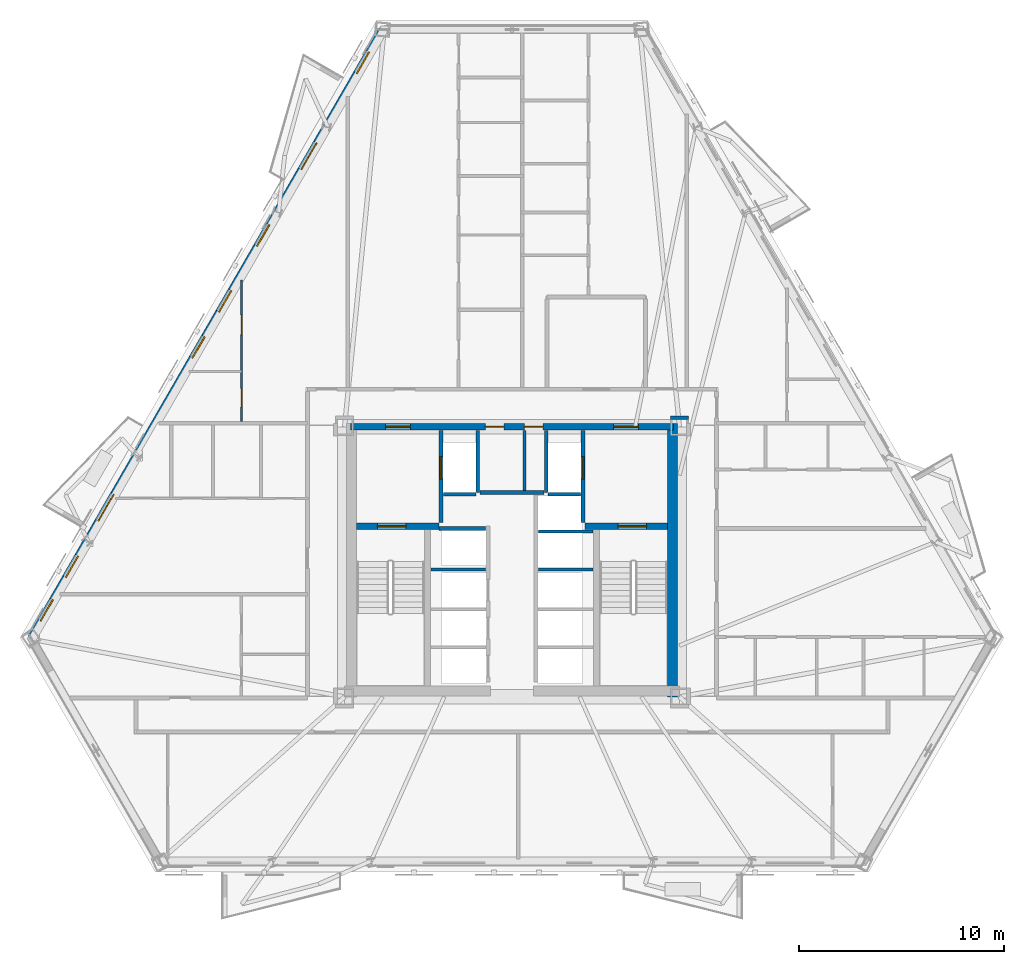
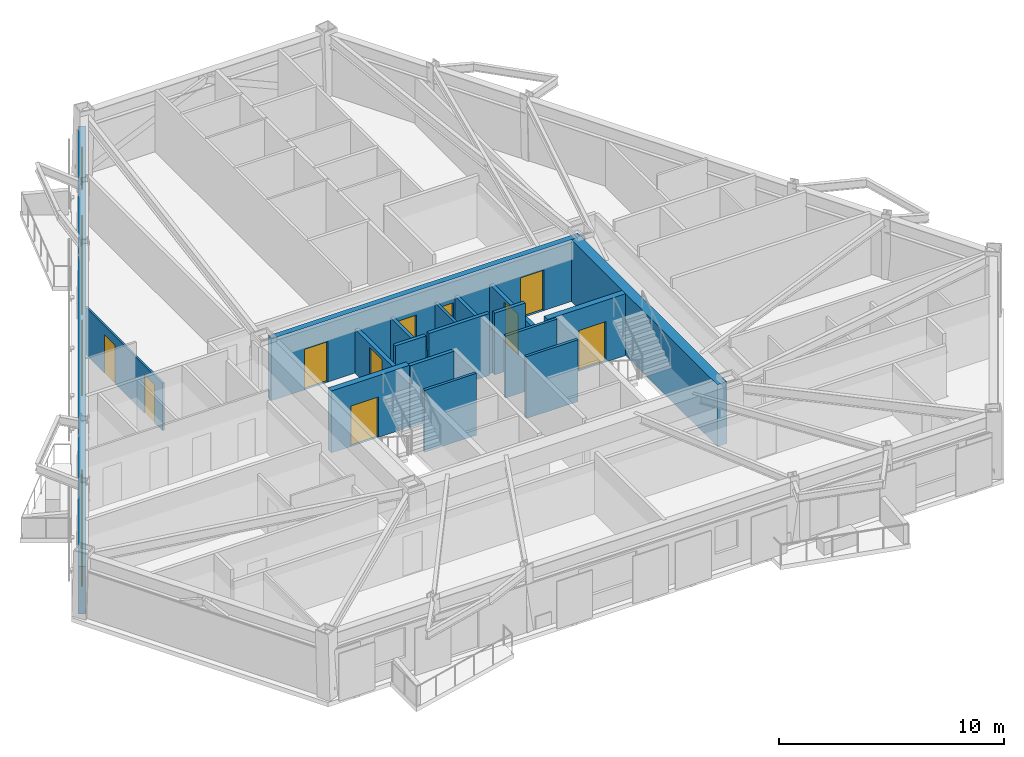
# One storey, part 4 of 11: 19 walls, 12 doors, 6 windows, 18 openings.
"""IFC4 building model written with IfcOpenShell, lengths in metres."""

import ifcopenshell
import ifcopenshell.guid

model = None  # the IFC model being written
_history = None  # IfcOwnerHistory: only IFC2X3 demands one
_inside = {}  # id of a spatial element -> (the spatial element, [elements in it])
_under = {}  # id of a project, library or spatial element -> (it, [spatial elements below it])
_declared = {}  # id of a project -> (the project, [libraries it declares])
_typed = {}  # id of a type object -> (the type object, [elements of that type])
_made_of = {}  # id of a material, layer set ... -> (it, [elements and type objects made of it])


def new_model(schema):
    """Start an empty IFC model of exactly this schema.

    Asked for "IFC4X3", IfcOpenShell would pick the latest addendum, in which some entities
    have other attributes; the version numbers below select the first issue.
    IFC2X3 requires an IfcOwnerHistory on every rooted entity: one is made here for all.
    """
    global model, _history
    if schema == "IFC4X3":
        model = ifcopenshell.file(schema_version=(4, 3, 0, 0))
    else:
        model = ifcopenshell.file(schema=schema)
    _inside.clear()
    _under.clear()
    _declared.clear()
    _typed.clear()
    _made_of.clear()
    _history = None
    if model.schema == "IFC2X3":
        org = make("IfcOrganization", Name="unknown")
        user = make(
            "IfcPersonAndOrganization",
            ThePerson=make("IfcPerson", FamilyName="unknown"),
            TheOrganization=org,
        )
        app = make(
            "IfcApplication",
            ApplicationDeveloper=org,
            Version="unknown",
            ApplicationFullName="unknown",
            ApplicationIdentifier="unknown",
        )
        _history = make(
            "IfcOwnerHistory",
            OwningUser=user,
            OwningApplication=app,
            ChangeAction="ADDED",
            CreationDate=0,
        )
    return model


def make(cls, **values):
    """One entity of the class cls with the attributes given. An attribute that is None is left unset."""
    return model.create_entity(
        cls, **{name: value for name, value in values.items() if value is not None}
    )


def rooted(cls, **values):
    """An entity with a GlobalId (a new one), such as an element, a storey or a relation."""
    return make(cls, GlobalId=ifcopenshell.guid.new(), OwnerHistory=_history, **values)


def si_unit(unit_type, name, prefix=None):
    """IfcSIUnit, for example si_unit("LENGTHUNIT", "METRE", prefix="MILLI")."""
    return make("IfcSIUnit", UnitType=unit_type, Prefix=prefix, Name=name)


def assignment(units):
    """IfcUnitAssignment: the units of a project."""
    return None if units is None else make("IfcUnitAssignment", Units=units)


def point(xyz):
    """IfcCartesianPoint."""
    return None if xyz is None else make("IfcCartesianPoint", Coordinates=xyz)


def direction(xyz):
    """IfcDirection."""
    return None if xyz is None else make("IfcDirection", DirectionRatios=xyz)


def frame(location, z_axis=None, x_axis=None):
    """IfcAxis2Placement3D, a coordinate frame: its origin and axes. An axis left out is left unset."""
    return make(
        "IfcAxis2Placement3D",
        Location=point(location),
        Axis=direction(z_axis),
        RefDirection=direction(x_axis),
    )


def frame_2d(location, x_axis=None):
    """IfcAxis2Placement2D, a coordinate frame in the plane: its origin and x axis."""
    return make(
        "IfcAxis2Placement2D", Location=point(location), RefDirection=direction(x_axis)
    )


def origin():
    """The frame at (0, 0, 0) with its axes left unset."""
    return frame((0.0, 0.0, 0.0))


def place(relative_to, where):
    """IfcLocalPlacement: puts the frame where relative to a parent placement (None: the world)."""
    return make(
        "IfcLocalPlacement", PlacementRelTo=relative_to, RelativePlacement=where
    )


def context(
    kind, dimensions, precision=None, world=None, true_north=None, identifier=None
):
    """IfcGeometricRepresentationContext, for example the 3D "Model" context."""
    return make(
        "IfcGeometricRepresentationContext",
        ContextIdentifier=identifier,
        ContextType=kind,
        CoordinateSpaceDimension=dimensions,
        Precision=precision,
        WorldCoordinateSystem=world,
        TrueNorth=true_north,
    )


def subcontext(parent, identifier, kind, view, scale=None):
    """IfcGeometricRepresentationSubContext, for example "Body" below "Model"."""
    return make(
        "IfcGeometricRepresentationSubContext",
        ContextIdentifier=identifier,
        ContextType=kind,
        ParentContext=parent,
        TargetScale=scale,
        TargetView=view,
    )


def project(units=None, contexts=None):
    """IfcProject with its units and contexts."""
    return rooted(
        "IfcProject",
        Name="project",
        RepresentationContexts=contexts,
        UnitsInContext=assignment(units),
    )


def spatial(cls, under=None, at=None, **own):
    """A site, building, storey or space (cls), placed at a placement, below another one or the project."""
    s = rooted(cls, ObjectPlacement=at, **own)
    if under is not None:
        _under.setdefault(under.id(), (under, []))[1].append(s)
    return s


def profile(cls, at=None, kind="AREA", **sizes):
    """A parametric profile (cls). Its sizes go by their IFC names, for example OverallWidth=200.0."""
    return make(cls, ProfileType=kind, Position=at, **sizes)


def rectangle(**sizes):
    """IfcRectangleProfileDef."""
    return profile("IfcRectangleProfileDef", **sizes)


def extrude(swept, where, along, depth):
    """IfcExtrudedAreaSolid: the profile swept, set in the frame where, extruded along a direction by depth."""
    return make(
        "IfcExtrudedAreaSolid",
        SweptArea=swept,
        Position=where,
        ExtrudedDirection=direction(along),
        Depth=depth,
    )


def shape(context_of_items, identifier, shape_type, items):
    """IfcShapeRepresentation: the items that make up one representation, for example the "Body"."""
    return make(
        "IfcShapeRepresentation",
        ContextOfItems=context_of_items,
        RepresentationIdentifier=identifier,
        RepresentationType=shape_type,
        Items=items,
    )


def material(Name=None, Category=None):
    """IfcMaterial."""
    return make("IfcMaterial", Name=Name, Category=Category)


def layer(
    of_material, thickness, ventilated=None, Name=None, Category=None, Priority=None
):
    """IfcMaterialLayer: one layer of a wall or slab, of a material (None: an air gap)."""
    return make(
        "IfcMaterialLayer",
        Material=of_material,
        LayerThickness=thickness,
        IsVentilated=ventilated,
        Name=Name,
        Category=Category,
        Priority=Priority,
    )


def layer_set(layers, Name=None):
    """IfcMaterialLayerSet."""
    return make("IfcMaterialLayerSet", MaterialLayers=layers, LayerSetName=Name)


def made_of(thing, what):
    """Note that an element or type object is made of a material, layer set ...; save() writes the relation."""
    if what is not None:
        _made_of.setdefault(what.id(), (what, []))[1].append(thing)
    return thing


def type_object(cls, material=None, **own):
    """A type object (cls), such as IfcWallType, which elements share."""
    return made_of(rooted(cls, **own), material)


def element(
    cls,
    number,
    at=None,
    inside=None,
    cuts=None,
    type_object=None,
    material=None,
    context=None,
    identifier="Body",
    shape_type=None,
    held_by="IfcProductDefinitionShape",
    body=None,
    shapes=None,
    **own,
):
    """One element of the class cls, such as IfcWall. Its Tag is "e" and its number.

    at: its placement. inside: the storey or other place that contains it. cuts: it is an
    opening in that element (IfcRelVoidsElement). A single representation is given by context,
    identifier, shape_type and body (its items); several are given by shapes. held_by: the class
    of the entity that holds the representations. save() writes the other relations.
    """
    e = rooted(cls, Tag="e%d" % number, ObjectPlacement=at, **own)
    if body is not None:
        shapes = [shape(context, identifier, shape_type, body)]
    if shapes is not None:
        e.Representation = make(held_by, Representations=shapes)
    if inside is not None:
        _inside.setdefault(inside.id(), (inside, []))[1].append(e)
    if cuts is not None:
        rooted(
            "IfcRelVoidsElement", RelatingBuildingElement=cuts, RelatedOpeningElement=e
        )
    if type_object is not None:
        _typed.setdefault(type_object.id(), (type_object, []))[1].append(e)
    return made_of(e, material)


def fill(opening, filler):
    """IfcRelFillsElement: the door or window that sits in an opening."""
    return rooted(
        "IfcRelFillsElement",
        RelatingOpeningElement=opening,
        RelatedBuildingElement=filler,
    )


def aggregate(whole, parts):
    """IfcRelAggregates: a whole, such as a stair, and the parts it consists of."""
    return rooted("IfcRelAggregates", RelatingObject=whole, RelatedObjects=parts)


def save(model, path):
    """Write the relations noted so far, then the file.

    IfcRelAggregates (storeys below a building ...), IfcRelContainedInSpatialStructure (elements
    in a storey), IfcRelDefinesByType, IfcRelAssociatesMaterial and IfcRelDeclares: one each for
    every whole, place, type object, material and project.
    """
    for whole, parts in _under.values():
        aggregate(whole, parts)
    for where, things in _inside.values():
        rooted(
            "IfcRelContainedInSpatialStructure",
            RelatedElements=things,
            RelatingStructure=where,
        )
    for kind, things in _typed.values():
        rooted("IfcRelDefinesByType", RelatedObjects=things, RelatingType=kind)
    for what, things in _made_of.values():
        rooted("IfcRelAssociatesMaterial", RelatedObjects=things, RelatingMaterial=what)
    for by, libraries in _declared.values():
        rooted("IfcRelDeclares", RelatingContext=by, RelatedDefinitions=libraries)
    model.write(path)


model = new_model("IFC4")

# Units and contexts
model_context = context("Model", 3, precision=1e-05, world=origin(), true_north=direction((0.0, 1.0)))
body_context = subcontext(model_context, "Body", "Model", "MODEL_VIEW")
ifc_project = project(units=[si_unit("LENGTHUNIT", "METRE"), si_unit("AREAUNIT", "SQUARE_METRE"), si_unit("VOLUMEUNIT", "CUBIC_METRE"), si_unit("PLANEANGLEUNIT", "RADIAN"), si_unit("MASSUNIT", "GRAM", prefix="KILO")], contexts=[model_context])

# Site, building, storey
site_placement = place(None, origin())
site = spatial("IfcSite", under=ifc_project, at=site_placement, CompositionType="ELEMENT")
building_placement = place(site_placement, origin())
building = spatial("IfcBuilding", under=site, at=building_placement, Name="Oramaril Tower", CompositionType="ELEMENT")
storey_placement = place(building_placement, frame((0.0, 0.0, 86.10009765625)))
storey = spatial("IfcBuildingStorey", under=building, at=storey_placement, Name="L22", CompositionType="ELEMENT", Elevation=86.10009765625)

# Wall, openings, doors, windows
ifc_material_1 = material(Name="Warm Cream Limestone", Category="masonry")
ifc_layer_1 = layer(ifc_material_1, 0.340087890625)
ifc_layer_set_1 = layer_set([ifc_layer_1], Name="WT-EXT34")
wall_type_1 = type_object("IfcWallType", Name="WT-EXT34", PredefinedType="SOLIDWALL", material=ifc_layer_set_1)
wall_1_placement = place(storey_placement, frame((31.1787109375, 43.490478515625, 0.0), z_axis=(0.0, 0.0, 1.0), x_axis=(-0.49999956034, -0.866025657622, 0.0)))
wall_1 = element("IfcWall", 1, at=wall_1_placement, inside=storey, type_object=wall_type_1, Name="L22 Tower Limestone Facade Wall 6M", PredefinedType="SOLIDWALL", context=body_context, shape_type="SweptSolid", body=[
    extrude(rectangle(XDim=34.19189453125, YDim=0.340087890625, at=frame_2d((17.095947265625, 0.0))), origin(), (0.0, 0.0, 1.0), 2.577880859375),
])
opening_1_placement = place(wall_1_placement, frame((6.369384765625, 0.0, 0.0)))
opening_1 = element("IfcOpeningElement", 2, at=opening_1_placement, cuts=wall_1, Name="Opening D-L22-BAL-NW1", PredefinedType="OPENING", context=body_context, shape_type="SweptSolid", body=[
    extrude(rectangle(XDim=1.5, YDim=2.199951171875, at=frame_2d((0.75, 1.10009765625))), frame((0.0, 0.169921875, 0.0), z_axis=(0.0, -1.0, 0.0), x_axis=(1.0, 0.0, 0.0)), (0.0, 0.0, 1.0), 0.340087890625),
])
opening_2_placement = place(wall_1_placement, frame((26.127685546875, 0.0, 0.0)))
opening_2 = element("IfcOpeningElement", 3, at=opening_2_placement, cuts=wall_1, Name="Opening D-L22-BAL-NW2", PredefinedType="OPENING", context=body_context, shape_type="SweptSolid", body=[
    extrude(rectangle(XDim=1.5, YDim=2.199951171875, at=frame_2d((0.75, 1.10009765625))), frame((0.0, 0.169921875, 0.0), z_axis=(0.0, -1.0, 0.0), x_axis=(1.0, 0.0, 0.0)), (0.0, 0.0, 1.0), 0.340087890625),
])
opening_3_placement = place(wall_1_placement, frame((32.0537109375, 0.0, 0.85009765625)))
opening_3 = element("IfcOpeningElement", 4, at=opening_3_placement, cuts=wall_1, Name="Opening WN-09", PredefinedType="OPENING", context=body_context, shape_type="SweptSolid", body=[
    extrude(rectangle(XDim=1.199951171875, YDim=1.47998046875, at=frame_2d((0.60009765625, 0.739990234375))), frame((0.0, 0.169921875, 0.0), z_axis=(0.0, -1.0, 0.0), x_axis=(1.0, 0.0, 0.0)), (0.0, 0.0, 1.0), 0.340087890625),
])
opening_4_placement = place(wall_1_placement, frame((29.595947265625, 0.0, 0.85009765625)))
opening_4 = element("IfcOpeningElement", 5, at=opening_4_placement, cuts=wall_1, Name="Opening WN-09", PredefinedType="OPENING", context=body_context, shape_type="SweptSolid", body=[
    extrude(rectangle(XDim=1.199951171875, YDim=1.47998046875, at=frame_2d((0.60009765625, 0.739990234375))), frame((0.0, 0.169921875, 0.0), z_axis=(0.0, -1.0, 0.0), x_axis=(1.0, 0.0, 0.0)), (0.0, 0.0, 1.0), 0.340087890625),
])
opening_5_placement = place(wall_1_placement, frame((10.97998046875, 0.0, 0.85009765625)))
opening_5 = element("IfcOpeningElement", 6, at=opening_5_placement, cuts=wall_1, Name="Opening WN-09", PredefinedType="OPENING", context=body_context, shape_type="SweptSolid", body=[
    extrude(rectangle(XDim=1.199951171875, YDim=1.47998046875, at=frame_2d((0.60009765625, 0.739990234375))), frame((0.0, 0.169921875, 0.0), z_axis=(0.0, -1.0, 0.0), x_axis=(1.0, 0.0, 0.0)), (0.0, 0.0, 1.0), 0.340087890625),
])
opening_6_placement = place(wall_1_placement, frame((14.679931640625, 0.0, 0.85009765625)))
opening_6 = element("IfcOpeningElement", 7, at=opening_6_placement, cuts=wall_1, Name="Opening WN-09", PredefinedType="OPENING", context=body_context, shape_type="SweptSolid", body=[
    extrude(rectangle(XDim=1.199951171875, YDim=1.47998046875, at=frame_2d((0.60009765625, 0.739990234375))), frame((0.0, 0.169921875, 0.0), z_axis=(0.0, -1.0, 0.0), x_axis=(1.0, 0.0, 0.0)), (0.0, 0.0, 1.0), 0.340087890625),
])
opening_7_placement = place(wall_1_placement, frame((17.274169921875, 0.0, 0.85009765625)))
opening_7 = element("IfcOpeningElement", 8, at=opening_7_placement, cuts=wall_1, Name="Opening WN-09", PredefinedType="OPENING", context=body_context, shape_type="SweptSolid", body=[
    extrude(rectangle(XDim=1.199951171875, YDim=1.47998046875, at=frame_2d((0.60009765625, 0.739990234375))), frame((0.0, 0.169921875, 0.0), z_axis=(0.0, -1.0, 0.0), x_axis=(1.0, 0.0, 0.0)), (0.0, 0.0, 1.0), 0.340087890625),
])
opening_8_placement = place(wall_1_placement, frame((1.270263671875, 0.0, 0.85009765625)))
opening_8 = element("IfcOpeningElement", 9, at=opening_8_placement, cuts=wall_1, Name="Opening WN-09", PredefinedType="OPENING", context=body_context, shape_type="SweptSolid", body=[
    extrude(rectangle(XDim=1.199951171875, YDim=1.47998046875, at=frame_2d((0.60009765625, 0.739990234375))), frame((0.0, 0.169921875, 0.0), z_axis=(0.0, -1.0, 0.0), x_axis=(1.0, 0.0, 0.0)), (0.0, 0.0, 1.0), 0.340087890625),
])
ifc_material_2 = material(Name="Anodised Aluminium 6063-T6", Category="aluminium")
door_type_1 = type_object("IfcDoorType", Name="DT-BAL", OperationType="NOTDEFINED", PredefinedType="DOOR", material=ifc_material_2)
door_1_placement = place(opening_1_placement, origin())
door_1 = element("IfcDoor", 10, at=door_1_placement, inside=storey, type_object=door_type_1, Name="L22 Balcony Glazed Door L22-BAL-NW1", OperationType="SINGLE_SWING_LEFT", OverallHeight=2.199951171875, OverallWidth=1.5, PredefinedType="DOOR", context=body_context, shape_type="SweptSolid", body=[
    extrude(rectangle(XDim=1.5, YDim=2.199951171875, at=frame_2d((0.75, 1.10009765625))), frame((0.0, 0.02490234375, 0.0), z_axis=(0.0, -1.0, 0.0), x_axis=(1.0, 0.0, 0.0)), (0.0, 0.0, 1.0), 0.050048828125),
])
fill(opening_1, door_1)
door_2_placement = place(opening_2_placement, origin())
door_2 = element("IfcDoor", 11, at=door_2_placement, inside=storey, type_object=door_type_1, Name="L22 Balcony Glazed Door L22-BAL-NW2", OperationType="SINGLE_SWING_RIGHT", OverallHeight=2.199951171875, OverallWidth=1.5, PredefinedType="DOOR", context=body_context, shape_type="SweptSolid", body=[
    extrude(rectangle(XDim=1.5, YDim=2.199951171875, at=frame_2d((0.75, 1.10009765625))), frame((0.0, 0.02490234375, 0.0), z_axis=(0.0, -1.0, 0.0), x_axis=(1.0, 0.0, 0.0)), (0.0, 0.0, 1.0), 0.050048828125),
])
fill(opening_2, door_2)
ifc_material_3 = material(Name="Coastal Low-E Insulated Glass", Category="glass")
window_type = type_object("IfcWindowType", Name="WNT-09", PartitioningType="SINGLE_PANEL", PredefinedType="WINDOW", material=ifc_material_3)
window_1_placement = place(opening_3_placement, origin())
window_1 = element("IfcWindow", 12, at=window_1_placement, inside=storey, type_object=window_type, Name="L22 Chicago Bay Window WN-09", OverallHeight=1.47998046875, OverallWidth=1.199951171875, PartitioningType="SINGLE_PANEL", PredefinedType="WINDOW", context=body_context, shape_type="SweptSolid", body=[
    extrude(rectangle(XDim=1.199951171875, YDim=1.47998046875, at=frame_2d((0.60009765625, 0.739990234375))), frame((0.0, 0.030029296875, 0.0), z_axis=(0.0, -1.0, 0.0), x_axis=(1.0, 0.0, 0.0)), (0.0, 0.0, 1.0), 0.06005859375),
])
fill(opening_3, window_1)
window_2_placement = place(opening_4_placement, origin())
window_2 = element("IfcWindow", 13, at=window_2_placement, inside=storey, type_object=window_type, Name="L22 Chicago Bay Window WN-09", OverallHeight=1.47998046875, OverallWidth=1.199951171875, PartitioningType="SINGLE_PANEL", PredefinedType="WINDOW", context=body_context, shape_type="SweptSolid", body=[
    extrude(rectangle(XDim=1.199951171875, YDim=1.47998046875, at=frame_2d((0.60009765625, 0.739990234375))), frame((0.0, 0.030029296875, 0.0), z_axis=(0.0, -1.0, 0.0), x_axis=(1.0, 0.0, 0.0)), (0.0, 0.0, 1.0), 0.06005859375),
])
fill(opening_4, window_2)
window_3_placement = place(opening_5_placement, origin())
window_3 = element("IfcWindow", 14, at=window_3_placement, inside=storey, type_object=window_type, Name="L22 Chicago Bay Window WN-09", OverallHeight=1.47998046875, OverallWidth=1.199951171875, PartitioningType="SINGLE_PANEL", PredefinedType="WINDOW", context=body_context, shape_type="SweptSolid", body=[
    extrude(rectangle(XDim=1.199951171875, YDim=1.47998046875, at=frame_2d((0.60009765625, 0.739990234375))), frame((0.0, 0.030029296875, 0.0), z_axis=(0.0, -1.0, 0.0), x_axis=(1.0, 0.0, 0.0)), (0.0, 0.0, 1.0), 0.06005859375),
])
fill(opening_5, window_3)
window_4_placement = place(opening_6_placement, origin())
window_4 = element("IfcWindow", 15, at=window_4_placement, inside=storey, type_object=window_type, Name="L22 Chicago Bay Window WN-09", OverallHeight=1.47998046875, OverallWidth=1.199951171875, PartitioningType="SINGLE_PANEL", PredefinedType="WINDOW", context=body_context, shape_type="SweptSolid", body=[
    extrude(rectangle(XDim=1.199951171875, YDim=1.47998046875, at=frame_2d((0.60009765625, 0.739990234375))), frame((0.0, 0.030029296875, 0.0), z_axis=(0.0, -1.0, 0.0), x_axis=(1.0, 0.0, 0.0)), (0.0, 0.0, 1.0), 0.06005859375),
])
fill(opening_6, window_4)
window_5_placement = place(opening_7_placement, origin())
window_5 = element("IfcWindow", 16, at=window_5_placement, inside=storey, type_object=window_type, Name="L22 Chicago Bay Window WN-09", OverallHeight=1.47998046875, OverallWidth=1.199951171875, PartitioningType="SINGLE_PANEL", PredefinedType="WINDOW", context=body_context, shape_type="SweptSolid", body=[
    extrude(rectangle(XDim=1.199951171875, YDim=1.47998046875, at=frame_2d((0.60009765625, 0.739990234375))), frame((0.0, 0.030029296875, 0.0), z_axis=(0.0, -1.0, 0.0), x_axis=(1.0, 0.0, 0.0)), (0.0, 0.0, 1.0), 0.06005859375),
])
fill(opening_7, window_5)
window_6_placement = place(opening_8_placement, origin())
window_6 = element("IfcWindow", 17, at=window_6_placement, inside=storey, type_object=window_type, Name="L22 Chicago Bay Window WN-09", OverallHeight=1.47998046875, OverallWidth=1.199951171875, PartitioningType="SINGLE_PANEL", PredefinedType="WINDOW", context=body_context, shape_type="SweptSolid", body=[
    extrude(rectangle(XDim=1.199951171875, YDim=1.47998046875, at=frame_2d((0.60009765625, 0.739990234375))), frame((0.0, 0.030029296875, 0.0), z_axis=(0.0, -1.0, 0.0), x_axis=(1.0, 0.0, 0.0)), (0.0, 0.0, 1.0), 0.06005859375),
])
fill(opening_8, window_6)

# Wall, openings, doors
ifc_material_4 = material(Name="Acoustic Gypsum Board Partition")
ifc_layer_2 = layer(ifc_material_4, 0.10009765625)
ifc_layer_set_2 = layer_set([ifc_layer_2], Name="WT-PT10")
wall_type_2 = type_object("IfcWallType", Name="WT-PT10", PredefinedType="PARTITIONING", material=ifc_layer_set_2)
wall_2_placement = place(storey_placement, frame((24.340087890625, 24.4140625, 0.0), z_axis=(0.0, 0.0, 1.0), x_axis=(0.0, 1.0, 0.0)))
wall_2 = element("IfcWall", 18, at=wall_2_placement, inside=storey, type_object=wall_type_2, Name="L22 Interior Partition PT-10", PredefinedType="PARTITIONING", context=body_context, shape_type="SweptSolid", body=[
    extrude(rectangle(XDim=6.88330078125, YDim=0.10009765625, at=frame_2d((3.441650390625, 0.0))), origin(), (0.0, 0.0, 1.0), 2.577880859375),
])
opening_9_placement = place(wall_2_placement, frame((0.7109375, 0.0, 0.0)))
opening_9 = element("IfcOpeningElement", 19, at=opening_9_placement, cuts=wall_2, Name="Opening D-L22-23", PredefinedType="OPENING", context=body_context, shape_type="SweptSolid", body=[
    extrude(rectangle(XDim=0.8798828125, YDim=2.080078125, at=frame_2d((0.43994140625, 1.0400390625))), frame((0.0, 0.050048828125, 0.0), z_axis=(0.0, -1.0, 0.0), x_axis=(1.0, 0.0, 0.0)), (0.0, 0.0, 1.0), 0.10009765625),
])
opening_10_placement = place(wall_2_placement, frame((4.2177734375, 0.0, 0.0)))
opening_10 = element("IfcOpeningElement", 20, at=opening_10_placement, cuts=wall_2, Name="Opening D-L22-24", PredefinedType="OPENING", context=body_context, shape_type="SweptSolid", body=[
    extrude(rectangle(XDim=0.949951171875, YDim=2.10009765625, at=frame_2d((0.47509765625, 1.050048828125))), frame((0.0, 0.050048828125, 0.0), z_axis=(0.0, -1.0, 0.0), x_axis=(1.0, 0.0, 0.0)), (0.0, 0.0, 1.0), 0.10009765625),
])
ifc_material_5 = material(Name="FSC Brazilian Freijo Hardwood", Category="wood")
door_type_2 = type_object("IfcDoorType", Name="DT-BATH", OperationType="NOTDEFINED", PredefinedType="DOOR", material=ifc_material_5)
door_3_placement = place(opening_9_placement, origin())
door_3 = element("IfcDoor", 21, at=door_3_placement, inside=storey, type_object=door_type_2, Name="L22 Flat L22-U7 Bathroom Door D-L22-23", OperationType="SINGLE_SWING_LEFT", OverallHeight=2.080078125, OverallWidth=0.8798828125, PredefinedType="DOOR", context=body_context, shape_type="SweptSolid", body=[
    extrude(rectangle(XDim=0.8798828125, YDim=2.080078125, at=frame_2d((0.43994140625, 1.0400390625))), frame((0.0, 0.02490234375, 0.0), z_axis=(0.0, -1.0, 0.0), x_axis=(1.0, 0.0, 0.0)), (0.0, 0.0, 1.0), 0.050048828125),
])
fill(opening_9, door_3)
ifc_material_6 = material(Name="FSC Brazilian Freijo Hardwood", Category="wood")
door_type_3 = type_object("IfcDoorType", Name="DT-STDY", OperationType="NOTDEFINED", PredefinedType="DOOR", material=ifc_material_6)
door_4_placement = place(opening_10_placement, origin())
door_4 = element("IfcDoor", 22, at=door_4_placement, inside=storey, type_object=door_type_3, Name="L22 Flat L22-U7 Kitchen Door D-L22-24", OperationType="SINGLE_SWING_RIGHT", OverallHeight=2.10009765625, OverallWidth=0.949951171875, PredefinedType="DOOR", context=body_context, shape_type="SweptSolid", body=[
    extrude(rectangle(XDim=0.949951171875, YDim=2.10009765625, at=frame_2d((0.47509765625, 1.050048828125))), frame((0.0, 0.02490234375, 0.0), z_axis=(0.0, -1.0, 0.0), x_axis=(1.0, 0.0, 0.0)), (0.0, 0.0, 1.0), 0.050048828125),
])
fill(opening_10, door_4)

# Walls
ifc_material_7 = material(Name="Acoustic Gypsum Board Partition")
ifc_layer_3 = layer(ifc_material_7, 0.139892578125)
ifc_layer_set_3 = layer_set([ifc_layer_3], Name="WT-PT14")
wall_type_3 = type_object("IfcWallType", Name="WT-PT14", PredefinedType="PARTITIONING", material=ifc_layer_set_3)
for number, where, z_axis, x_axis, name in (
    (23, (33.56005859375, 17.199951171875, 0.0), (0.0, 0.0, 1.0), (1.0, 0.0, 0.0), "L22 West Lift Divider"),
    (24, (38.780029296875, 17.199951171875, 0.0), (0.0, 0.0, 1.0), (1.0, 0.0, 0.0), "L22 East Lift Divider"),
    (25, (38.780029296875, 19.050048828125, 0.0), (0.0, 0.0, 1.0), (1.0, 0.0, 0.0), "L22 East Lift Divider"),
):
    element("IfcWall", number, at=place(storey_placement, frame(where, z_axis=z_axis, x_axis=x_axis)), inside=storey, type_object=wall_type_3, Name=name, PredefinedType="PARTITIONING", context=body_context, shape_type="SweptSolid", body=[
        extrude(rectangle(XDim=2.659912109375, YDim=0.139892578125, at=frame_2d((1.330078125, 0.0))), origin(), (0.0, 0.0, 1.0), 3.35986328125),
    ])
wall_3_placement = place(storey_placement, frame((38.110107421875, 21.06005859375, 0.0), z_axis=(0.0, 0.0, 1.0), x_axis=(0.0, 1.0, 0.0)))
element("IfcWall", 26, at=wall_3_placement, inside=storey, type_object=wall_type_3, Name="L22 Core Service Divider", PredefinedType="PARTITIONING", context=body_context, shape_type="SweptSolid", body=[
    extrude(rectangle(XDim=2.919921875, YDim=0.139892578125, at=frame_2d((1.4599609375, 0.0))), origin(), (0.0, 0.0, 1.0), 2.39990234375),
])
ifc_material_8 = material(Name="Autoclaved Cellular Concrete Block", Category="concrete")
ifc_layer_4 = layer(ifc_material_8, 0.179931640625)
ifc_layer_set_4 = layer_set([ifc_layer_4], Name="WT-PT18")
wall_type_4 = type_object("IfcWallType", Name="WT-PT18", PredefinedType="PARTITIONING", material=ifc_layer_set_4)
wall_4_placement = place(storey_placement, frame((35.840087890625, 20.9599609375, 0.0), z_axis=(0.0, 0.0, 1.0), x_axis=(0.0, 1.0, 0.0)))
element("IfcWall", 27, at=wall_4_placement, inside=storey, type_object=wall_type_4, Name="L22 FL-1 East Shaft Wall", PredefinedType="PARTITIONING", context=body_context, shape_type="SweptSolid", body=[
    extrude(rectangle(XDim=3.02001953125, YDim=0.179931640625, at=frame_2d((1.510009765625, 0.0))), origin(), (0.0, 0.0, 1.0), 2.39990234375),
])
wall_5_placement = place(storey_placement, frame((34.159912109375, 20.860107421875, 0.0), z_axis=(0.0, 0.0, 1.0), x_axis=(1.0, 0.0, 0.0)))
element("IfcWall", 28, at=wall_5_placement, inside=storey, type_object=wall_type_4, Name="L22 FL-1 South Shaft Wall", PredefinedType="PARTITIONING", context=body_context, shape_type="SweptSolid", body=[
    extrude(rectangle(XDim=1.580078125, YDim=0.179931640625, at=frame_2d((0.7900390625, 0.0))), origin(), (0.0, 0.0, 1.0), 3.35986328125),
])
wall_6_placement = place(storey_placement, frame((39.159912109375, 20.9599609375, 0.0), z_axis=(0.0, 0.0, 1.0), x_axis=(0.0, 1.0, 0.0)))
element("IfcWall", 29, at=wall_6_placement, inside=storey, type_object=wall_type_4, Name="L22 FL-2 West Shaft Wall", PredefinedType="PARTITIONING", context=body_context, shape_type="SweptSolid", body=[
    extrude(rectangle(XDim=3.02001953125, YDim=0.179931640625, at=frame_2d((1.510009765625, 0.0))), origin(), (0.0, 0.0, 1.0), 2.39990234375),
])
wall_7_placement = place(storey_placement, frame((39.260009765625, 20.860107421875, 0.0), z_axis=(0.0, 0.0, 1.0), x_axis=(1.0, 0.0, 0.0)))
element("IfcWall", 30, at=wall_7_placement, inside=storey, type_object=wall_type_4, Name="L22 FL-2 South Shaft Wall", PredefinedType="PARTITIONING", context=body_context, shape_type="SweptSolid", body=[
    extrude(rectangle(XDim=1.580078125, YDim=0.179931640625, at=frame_2d((0.7900390625, 0.0))), origin(), (0.0, 0.0, 1.0), 3.35986328125),
])
wall_8_placement = place(storey_placement, frame((33.949951171875, 19.199951171875, 0.0), z_axis=(0.0, 0.0, 1.0), x_axis=(1.0, 0.0, 0.0)))
element("IfcWall", 31, at=wall_8_placement, inside=storey, type_object=wall_type_4, Name="L22 High-Rise Lift H1 North Shaft Wall", PredefinedType="PARTITIONING", context=body_context, shape_type="SweptSolid", body=[
    extrude(rectangle(XDim=2.27001953125, YDim=0.179931640625, at=frame_2d((1.135009765625, 0.0))), origin(), (0.0, 0.0, 1.0), 3.35986328125),
])
wall_9_placement = place(storey_placement, frame((35.949951171875, 20.949951171875, 0.0), z_axis=(0.0, 0.0, 1.0), x_axis=(1.0, 0.0, 0.0)))
element("IfcWall", 32, at=wall_9_placement, inside=storey, type_object=wall_type_4, Name="L22 Lift Lobby North Partition", PredefinedType="PARTITIONING", context=body_context, shape_type="SweptSolid", body=[
    extrude(rectangle(XDim=3.10009765625, YDim=0.179931640625, at=frame_2d((1.550048828125, 0.0))), origin(), (0.0, 0.0, 1.0), 3.35986328125),
])
wall_10_placement = place(storey_placement, frame((45.2099609375, 24.590087890625, 0.0), z_axis=(0.0, 0.0, 1.0), x_axis=(1.0, 0.0, 0.0)))
element("IfcWall", 33, at=wall_10_placement, inside=storey, type_object=wall_type_4, Name="L22 Interior Partition PT-18", PredefinedType="PARTITIONING", context=body_context, shape_type="SweptSolid", body=[
    extrude(rectangle(XDim=0.880126953125, YDim=0.179931640625, at=frame_2d((0.43994140625, 0.0))), origin(), (0.0, 0.0, 1.0), 2.81396484375),
])

# Wall, openings, doors
ifc_material_9 = material(Name="Concrete C50/60", Category="concrete")
ifc_layer_5 = layer(ifc_material_9, 0.300048828125)
ifc_layer_set_5 = layer_set([ifc_layer_5], Name="WT-SH30")
wall_type_5 = type_object("IfcWallType", Name="WT-SH30", PredefinedType="SHEAR", material=ifc_layer_set_5)
wall_11_placement = place(storey_placement, frame((29.64990234375, 24.14990234375, 0.0), z_axis=(0.0, 0.0, 1.0), x_axis=(1.0, 0.0, 0.0)))
wall_11 = element("IfcWall", 34, at=wall_11_placement, inside=storey, type_object=wall_type_5, Name="L22 Core Shear Wall CW-N", PredefinedType="SHEAR", context=body_context, shape_type="SweptSolid", body=[
    extrude(rectangle(XDim=15.7001953125, YDim=0.300048828125, at=frame_2d((7.85009765625, 0.0))), origin(), (0.0, 0.0, 1.0), 3.35986328125),
])
opening_11_placement = place(wall_11_placement, frame((1.699951171875, 0.0, 0.0)))
opening_11 = element("IfcOpeningElement", 35, at=opening_11_placement, cuts=wall_11, Name="Opening D-L22-FFL1", PredefinedType="OPENING", context=body_context, shape_type="SweptSolid", body=[
    extrude(rectangle(XDim=1.199951171875, YDim=2.199951171875, at=frame_2d((0.60009765625, 1.10009765625))), frame((0.0, 0.14990234375, 0.0), z_axis=(0.0, -1.0, 0.0), x_axis=(1.0, 0.0, 0.0)), (0.0, 0.0, 1.0), 0.300048828125),
])
opening_12_placement = place(wall_11_placement, frame((12.800048828125, 0.0, 0.0)))
opening_12 = element("IfcOpeningElement", 36, at=opening_12_placement, cuts=wall_11, Name="Opening D-L22-FFL2", PredefinedType="OPENING", context=body_context, shape_type="SweptSolid", body=[
    extrude(rectangle(XDim=1.199951171875, YDim=2.199951171875, at=frame_2d((0.60009765625, 1.10009765625))), frame((0.0, 0.14990234375, 0.0), z_axis=(0.0, -1.0, 0.0), x_axis=(1.0, 0.0, 0.0)), (0.0, 0.0, 1.0), 0.300048828125),
])
opening_13_placement = place(wall_11_placement, frame((6.550048828125, 0.0, 0.0)))
opening_13 = element("IfcOpeningElement", 37, at=opening_13_placement, cuts=wall_11, Name="Opening D-L22-SV1", PredefinedType="OPENING", context=body_context, shape_type="SweptSolid", body=[
    extrude(rectangle(XDim=0.89990234375, YDim=2.050048828125, at=frame_2d((0.449951171875, 1.02490234375))), frame((0.0, 0.14990234375, 0.0), z_axis=(0.0, -1.0, 0.0), x_axis=(1.0, 0.0, 0.0)), (0.0, 0.0, 1.0), 0.300048828125),
])
opening_14_placement = place(wall_11_placement, frame((8.449951171875, 0.0, 0.0)))
opening_14 = element("IfcOpeningElement", 38, at=opening_14_placement, cuts=wall_11, Name="Opening D-L22-SV2", PredefinedType="OPENING", context=body_context, shape_type="SweptSolid", body=[
    extrude(rectangle(XDim=0.89990234375, YDim=2.050048828125, at=frame_2d((0.449951171875, 1.02490234375))), frame((0.0, 0.14990234375, 0.0), z_axis=(0.0, -1.0, 0.0), x_axis=(1.0, 0.0, 0.0)), (0.0, 0.0, 1.0), 0.300048828125),
])
ifc_material_10 = material(Name="Painted Galvanised Steel", Category="steel")
door_type_4 = type_object("IfcDoorType", Name="DT-FFL", OperationType="NOTDEFINED", PredefinedType="DOOR", material=ifc_material_10)
door_5_placement = place(opening_11_placement, origin())
door_5 = element("IfcDoor", 39, at=door_5_placement, inside=storey, type_object=door_type_4, Name="L22 Firefighting Lobby 1 Fire Door", OperationType="SINGLE_SWING_LEFT", OverallHeight=2.199951171875, OverallWidth=1.199951171875, PredefinedType="DOOR", context=body_context, shape_type="SweptSolid", body=[
    extrude(rectangle(XDim=1.199951171875, YDim=2.199951171875, at=frame_2d((0.60009765625, 1.10009765625))), frame((0.0, 0.02490234375, 0.0), z_axis=(0.0, -1.0, 0.0), x_axis=(1.0, 0.0, 0.0)), (0.0, 0.0, 1.0), 0.050048828125),
])
fill(opening_11, door_5)
door_6_placement = place(opening_12_placement, origin())
door_6 = element("IfcDoor", 40, at=door_6_placement, inside=storey, type_object=door_type_4, Name="L22 Firefighting Lobby 2 Fire Door", OperationType="SINGLE_SWING_RIGHT", OverallHeight=2.199951171875, OverallWidth=1.199951171875, PredefinedType="DOOR", context=body_context, shape_type="SweptSolid", body=[
    extrude(rectangle(XDim=1.199951171875, YDim=2.199951171875, at=frame_2d((0.60009765625, 1.10009765625))), frame((0.0, 0.02490234375, 0.0), z_axis=(0.0, -1.0, 0.0), x_axis=(1.0, 0.0, 0.0)), (0.0, 0.0, 1.0), 0.050048828125),
])
fill(opening_12, door_6)
ifc_material_11 = material(Name="Painted Galvanised Steel", Category="steel")
door_type_5 = type_object("IfcDoorType", Name="DT-SVC", OperationType="NOTDEFINED", PredefinedType="DOOR", material=ifc_material_11)
door_7_placement = place(opening_13_placement, origin())
door_7 = element("IfcDoor", 41, at=door_7_placement, inside=storey, type_object=door_type_5, Name="L22 Core Service Store 1 Door", OperationType="SINGLE_SWING_LEFT", OverallHeight=2.050048828125, OverallWidth=0.89990234375, PredefinedType="DOOR", context=body_context, shape_type="SweptSolid", body=[
    extrude(rectangle(XDim=0.89990234375, YDim=2.050048828125, at=frame_2d((0.449951171875, 1.02490234375))), frame((0.0, 0.02490234375, 0.0), z_axis=(0.0, -1.0, 0.0), x_axis=(1.0, 0.0, 0.0)), (0.0, 0.0, 1.0), 0.050048828125),
])
fill(opening_13, door_7)
door_8_placement = place(opening_14_placement, origin())
door_8 = element("IfcDoor", 42, at=door_8_placement, inside=storey, type_object=door_type_5, Name="L22 Core Service Store 2 Door", OperationType="SINGLE_SWING_RIGHT", OverallHeight=2.050048828125, OverallWidth=0.89990234375, PredefinedType="DOOR", context=body_context, shape_type="SweptSolid", body=[
    extrude(rectangle(XDim=0.89990234375, YDim=2.050048828125, at=frame_2d((0.449951171875, 1.02490234375))), frame((0.0, 0.02490234375, 0.0), z_axis=(0.0, -1.0, 0.0), x_axis=(1.0, 0.0, 0.0)), (0.0, 0.0, 1.0), 0.050048828125),
])
fill(opening_14, door_8)

# Wall, opening, door
wall_12_placement = place(storey_placement, frame((29.93994140625, 19.31005859375, 0.0), z_axis=(0.0, 0.0, 1.0), x_axis=(1.0, 0.0, 0.0)))
wall_12 = element("IfcWall", 43, at=wall_12_placement, inside=storey, type_object=wall_type_5, Name="L22 Core Shear Wall CW-ST1N", PredefinedType="SHEAR", context=body_context, shape_type="SweptSolid", body=[
    extrude(rectangle(XDim=4.010009765625, YDim=0.300048828125, at=frame_2d((2.0048828125, 0.0))), origin(), (0.0, 0.0, 1.0), 3.35986328125),
])
opening_15_placement = place(wall_12_placement, frame((1.010009765625, 0.0, 0.0)))
opening_15 = element("IfcOpeningElement", 44, at=opening_15_placement, cuts=wall_12, Name="Opening D-L22-ST1", PredefinedType="OPENING", context=body_context, shape_type="SweptSolid", body=[
    extrude(rectangle(XDim=1.39990234375, YDim=2.199951171875, at=frame_2d((0.699951171875, 1.10009765625))), frame((0.0, 0.14990234375, 0.0), z_axis=(0.0, -1.0, 0.0), x_axis=(1.0, 0.0, 0.0)), (0.0, 0.0, 1.0), 0.300048828125),
])
ifc_material_12 = material(Name="Painted Galvanised Steel", Category="steel")
door_type_6 = type_object("IfcDoorType", Name="DT-ST", OperationType="NOTDEFINED", PredefinedType="DOOR", material=ifc_material_12)
door_9_placement = place(opening_15_placement, origin())
door_9 = element("IfcDoor", 45, at=door_9_placement, inside=storey, type_object=door_type_6, Name="L22 Protected Stair ST-1 Fire Door", OperationType="SINGLE_SWING_LEFT", OverallHeight=2.199951171875, OverallWidth=1.39990234375, PredefinedType="DOOR", context=body_context, shape_type="SweptSolid", body=[
    extrude(rectangle(XDim=1.39990234375, YDim=2.199951171875, at=frame_2d((0.699951171875, 1.10009765625))), frame((0.0, 0.02490234375, 0.0), z_axis=(0.0, -1.0, 0.0), x_axis=(1.0, 0.0, 0.0)), (0.0, 0.0, 1.0), 0.050048828125),
])
fill(opening_15, door_9)

wall_13_placement = place(storey_placement, frame((41.050048828125, 19.31005859375, 0.0), z_axis=(0.0, 0.0, 1.0), x_axis=(1.0, 0.0, 0.0)))
wall_13 = element("IfcWall", 46, at=wall_13_placement, inside=storey, type_object=wall_type_5, Name="L22 Core Shear Wall CW-ST2N", PredefinedType="SHEAR", context=body_context, shape_type="SweptSolid", body=[
    extrude(rectangle(XDim=4.010009765625, YDim=0.300048828125, at=frame_2d((2.0048828125, 0.0))), origin(), (0.0, 0.0, 1.0), 3.35986328125),
])
opening_16_placement = place(wall_13_placement, frame((1.60009765625, 0.0, 0.0)))
opening_16 = element("IfcOpeningElement", 47, at=opening_16_placement, cuts=wall_13, Name="Opening D-L22-ST2", PredefinedType="OPENING", context=body_context, shape_type="SweptSolid", body=[
    extrude(rectangle(XDim=1.39990234375, YDim=2.199951171875, at=frame_2d((0.699951171875, 1.10009765625))), frame((0.0, 0.14990234375, 0.0), z_axis=(0.0, -1.0, 0.0), x_axis=(1.0, 0.0, 0.0)), (0.0, 0.0, 1.0), 0.300048828125),
])
door_10_placement = place(opening_16_placement, origin())
door_10 = element("IfcDoor", 48, at=door_10_placement, inside=storey, type_object=door_type_6, Name="L22 Protected Stair ST-2 Fire Door", OperationType="SINGLE_SWING_RIGHT", OverallHeight=2.199951171875, OverallWidth=1.39990234375, PredefinedType="DOOR", context=body_context, shape_type="SweptSolid", body=[
    extrude(rectangle(XDim=1.39990234375, YDim=2.199951171875, at=frame_2d((0.699951171875, 1.10009765625))), frame((0.0, 0.02490234375, 0.0), z_axis=(0.0, -1.0, 0.0), x_axis=(1.0, 0.0, 0.0)), (0.0, 0.0, 1.0), 0.050048828125),
])
fill(opening_16, door_10)

# Wall
ifc_material_13 = material(Name="Concrete C50/60", Category="concrete")
ifc_layer_6 = layer(ifc_material_13, 0.5)
ifc_layer_set_6 = layer_set([ifc_layer_6], Name="WT-SH50")
wall_type_6 = type_object("IfcWallType", Name="WT-SH50", PredefinedType="SHEAR", material=ifc_layer_set_6)
wall_14_placement = place(storey_placement, frame((45.31005859375, 11.0, 0.0), z_axis=(0.0, 0.0, 1.0), x_axis=(0.0, 1.0, 0.0)))
element("IfcWall", 49, at=wall_14_placement, inside=storey, type_object=wall_type_6, Name="L22 Core Shear Wall CW-E", PredefinedType="SHEAR", context=body_context, shape_type="SweptSolid", body=[
    extrude(rectangle(XDim=13.300048828125, YDim=0.5, at=frame_2d((6.64990234375, 0.0))), origin(), (0.0, 0.0, 1.0), 3.35986328125),
])

# Wall, opening, door
ifc_material_14 = material(Name="Autoclaved Cellular Concrete Block", Category="concrete")
ifc_layer_7 = layer(ifc_material_14, 0.199951171875)
ifc_layer_set_7 = layer_set([ifc_layer_7], Name="WT-SHF20")
wall_type_7 = type_object("IfcWallType", Name="WT-SHF20", PredefinedType="PARTITIONING", material=ifc_layer_set_7)
wall_15_placement = place(storey_placement, frame((34.0400390625, 19.47998046875, 0.0), z_axis=(0.0, 0.0, 1.0), x_axis=(0.0, 1.0, 0.0)))
wall_15 = element("IfcWall", 50, at=wall_15_placement, inside=storey, type_object=wall_type_7, Name="L22 FL-1 Lobby Shaft Wall", PredefinedType="PARTITIONING", context=body_context, shape_type="SweptSolid", body=[
    extrude(rectangle(XDim=4.5, YDim=0.199951171875, at=frame_2d((2.25, 0.0))), origin(), (0.0, 0.0, 1.0), 2.39990234375),
])
opening_17_placement = place(wall_15_placement, frame((2.1201171875, 0.0, 0.0)))
opening_17 = element("IfcOpeningElement", 51, at=opening_17_placement, cuts=wall_15, Name="Opening LD-L22-FL-1", PredefinedType="OPENING", context=body_context, shape_type="SweptSolid", body=[
    extrude(rectangle(XDim=1.10009765625, YDim=2.199951171875, at=frame_2d((0.550048828125, 1.10009765625))), frame((0.0, 0.10009765625, 0.0), z_axis=(0.0, -1.0, 0.0), x_axis=(1.0, 0.0, 0.0)), (0.0, 0.0, 1.0), 0.199951171875),
])
ifc_material_15 = material(Name="Stainless Steel 316L", Category="steel")
door_type_7 = type_object("IfcDoorType", Name="DT-LD1", OperationType="NOTDEFINED", PredefinedType="DOOR", material=ifc_material_15)
door_11_placement = place(opening_17_placement, origin())
door_11 = element("IfcDoor", 52, at=door_11_placement, inside=storey, type_object=door_type_7, Name="L22 Lift FL-1 Sliding Landing Door", OperationType="SLIDING_TO_LEFT", OverallHeight=2.199951171875, OverallWidth=1.10009765625, PredefinedType="DOOR", context=body_context, shape_type="SweptSolid", body=[
    extrude(rectangle(XDim=1.10009765625, YDim=2.199951171875, at=frame_2d((0.550048828125, 1.10009765625))), frame((0.0, 0.02490234375, 0.0), z_axis=(0.0, -1.0, 0.0), x_axis=(1.0, 0.0, 0.0)), (0.0, 0.0, 1.0), 0.050048828125),
])
fill(opening_17, door_11)

wall_16_placement = place(storey_placement, frame((40.9599609375, 19.47998046875, 0.0), z_axis=(0.0, 0.0, 1.0), x_axis=(0.0, 1.0, 0.0)))
wall_16 = element("IfcWall", 53, at=wall_16_placement, inside=storey, type_object=wall_type_7, Name="L22 FL-2 Lobby Shaft Wall", PredefinedType="PARTITIONING", context=body_context, shape_type="SweptSolid", body=[
    extrude(rectangle(XDim=4.5, YDim=0.199951171875, at=frame_2d((2.25, 0.0))), origin(), (0.0, 0.0, 1.0), 2.39990234375),
])
opening_18_placement = place(wall_16_placement, frame((2.1201171875, 0.0, 0.0)))
opening_18 = element("IfcOpeningElement", 54, at=opening_18_placement, cuts=wall_16, Name="Opening LD-L22-FL-2", PredefinedType="OPENING", context=body_context, shape_type="SweptSolid", body=[
    extrude(rectangle(XDim=1.10009765625, YDim=2.199951171875, at=frame_2d((0.550048828125, 1.10009765625))), frame((0.0, 0.10009765625, 0.0), z_axis=(0.0, -1.0, 0.0), x_axis=(1.0, 0.0, 0.0)), (0.0, 0.0, 1.0), 0.199951171875),
])
door_12_placement = place(opening_18_placement, origin())
door_12 = element("IfcDoor", 55, at=door_12_placement, inside=storey, type_object=door_type_7, Name="L22 Lift FL-2 Sliding Landing Door", OperationType="SLIDING_TO_RIGHT", OverallHeight=2.199951171875, OverallWidth=1.10009765625, PredefinedType="DOOR", context=body_context, shape_type="SweptSolid", body=[
    extrude(rectangle(XDim=1.10009765625, YDim=2.199951171875, at=frame_2d((0.550048828125, 1.10009765625))), frame((0.0, 0.02490234375, 0.0), z_axis=(0.0, -1.0, 0.0), x_axis=(1.0, 0.0, 0.0)), (0.0, 0.0, 1.0), 0.050048828125),
])
fill(opening_18, door_12)

save(model, "model.ifc")
